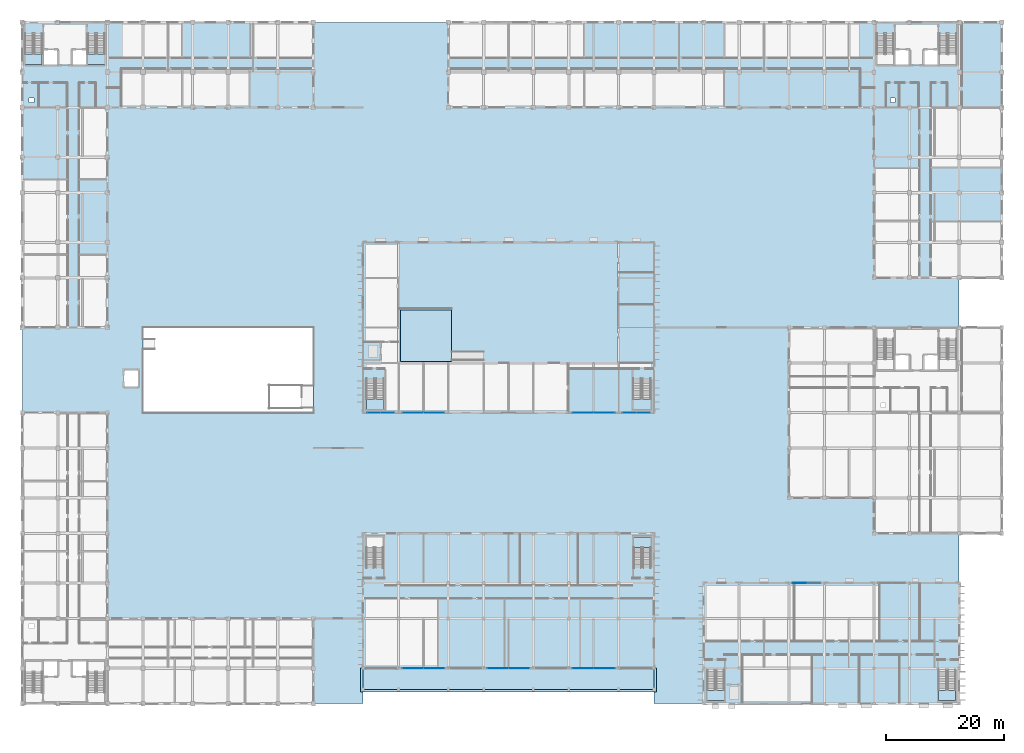
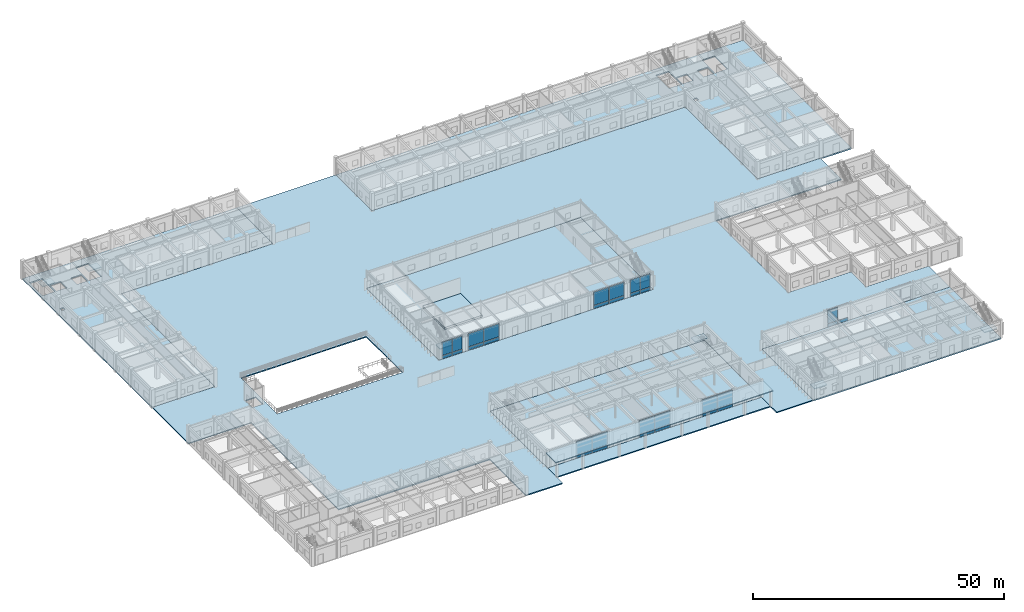
# One storey, part 24 of 67: 31 plates, 16 slabs, 15 elements without a shape of their own.
"""IFC4 building model written with IfcOpenShell, lengths in metres."""

from ifc_helpers import new_model, si_unit, direction, frame, origin, origin_2d, place, context, subcontext, project, spatial, polyline, rectangle, outline, extrude, material, layer, layer_set, type_object, element, aggregate, save


model = new_model("IFC4")

# Units and contexts
model_context = context("Model", 3, precision=1e-05, world=origin(), true_north=direction((0.0, 1.0)))
body_context = subcontext(model_context, "Body", "Model", "MODEL_VIEW")
ifc_project = project(units=[si_unit("LENGTHUNIT", "METRE"), si_unit("AREAUNIT", "SQUARE_METRE"), si_unit("VOLUMEUNIT", "CUBIC_METRE"), si_unit("PLANEANGLEUNIT", "RADIAN"), si_unit("MASSUNIT", "GRAM", prefix="KILO"), si_unit("THERMODYNAMICTEMPERATUREUNIT", "KELVIN")], contexts=[model_context])

# Site, building, storey
site_placement = place(None, origin())
site = spatial("IfcSite", under=ifc_project, at=site_placement, CompositionType="ELEMENT")
building_placement = place(site_placement, origin())
building = spatial("IfcBuilding", under=site, at=building_placement, Name="Thalorik Housing Commons", CompositionType="ELEMENT")
storey_placement = place(building_placement, origin())
storey = spatial("IfcBuildingStorey", under=building, at=storey_placement, Name="L00", CompositionType="ELEMENT", Elevation=0.0)

# Curtain wall, plates
ifc_material_1 = material(Name="Anodised aluminium and solar-control low-E glass", Category="aluminium")
curtain_wall_type = type_object("IfcCurtainWallType", Name="ARC-CW-CIVIC", PredefinedType="USERDEFINED", material=ifc_material_1)
curtain_wall_1_placement = place(storey_placement, origin())
curtain_wall_1 = element("IfcCurtainWall", 1, at=curtain_wall_1_placement, inside=storey, type_object=curtain_wall_type, Name="L00 Curtain Wall CW-HALL-L00-209", ObjectType="CURTAIN WALL", PredefinedType="USERDEFINED")
ifc_material_2 = material(Name="Cobalt blue enamelled aluminium spandrel panel", Category="aluminium")
ifc_layer_1 = layer(ifc_material_2, 0.0458984375, Name="Cobalt blue enamelled aluminium spandrel panel", Category="aluminium")
ifc_layer_set_1 = layer_set([ifc_layer_1], Name="Cobalt blue enamelled aluminium spandrel panel")
plate_type_1 = type_object("IfcPlateType", Name="ARC-CP-BLU-46", PredefinedType="CURTAIN_PANEL", material=ifc_layer_set_1)
plate_1_placement = place(storey_placement, frame((67.824951171875, 57.60009765625, 0.080078125), z_axis=(0.0, 0.0, 1.0), x_axis=(1.0, 0.0, 0.0)))
plate_1 = element("IfcPlate", 2, at=plate_1_placement, type_object=plate_type_1, Name="CW-HALL-L00-209 Spandrel Panel 1", PredefinedType="CURTAIN_PANEL", context=body_context, shape_type="SweptSolid", body=[
    extrude(rectangle(XDim=2.2900390625, YDim=0.0458984375, at=origin_2d()), origin(), (0.0, 0.0, 1.0), 0.760009765625),
])
plate_2_placement = place(storey_placement, frame((70.175048828125, 57.60009765625, 0.080078125), z_axis=(0.0, 0.0, 1.0), x_axis=(1.0, 0.0, 0.0)))
plate_2 = element("IfcPlate", 3, at=plate_2_placement, type_object=plate_type_1, Name="CW-HALL-L00-209 Spandrel Panel 2", PredefinedType="CURTAIN_PANEL", context=body_context, shape_type="SweptSolid", body=[
    extrude(rectangle(XDim=2.2900390625, YDim=0.0458984375, at=origin_2d()), origin(), (0.0, 0.0, 1.0), 0.760009765625),
])

curtain_wall_2_placement = place(storey_placement, origin())
curtain_wall_2 = element("IfcCurtainWall", 4, at=curtain_wall_2_placement, inside=storey, type_object=curtain_wall_type, Name="L00 Curtain Wall CW-HALL-L00-211", ObjectType="CURTAIN WALL", PredefinedType="USERDEFINED")
plate_3_placement = place(storey_placement, frame((103.22509765625, 57.60009765625, 0.080078125), z_axis=(0.0, 0.0, 1.0), x_axis=(1.0, 0.0, 0.0)))
plate_3 = element("IfcPlate", 5, at=plate_3_placement, type_object=plate_type_1, Name="CW-HALL-L00-211 Spandrel Panel 1", PredefinedType="CURTAIN_PANEL", context=body_context, shape_type="SweptSolid", body=[
    extrude(rectangle(XDim=3.489990234375, YDim=0.0458984375, at=origin_2d()), origin(), (0.0, 0.0, 1.0), 0.760009765625),
])
plate_4_placement = place(storey_placement, frame((106.77490234375, 57.60009765625, 0.080078125), z_axis=(0.0, 0.0, 1.0), x_axis=(1.0, 0.0, 0.0)))
plate_4 = element("IfcPlate", 6, at=plate_4_placement, type_object=plate_type_1, Name="CW-HALL-L00-211 Spandrel Panel 2", PredefinedType="CURTAIN_PANEL", context=body_context, shape_type="SweptSolid", body=[
    extrude(rectangle(XDim=3.489990234375, YDim=0.0458984375, at=origin_2d()), origin(), (0.0, 0.0, 1.0), 0.760009765625),
])

curtain_wall_3_placement = place(storey_placement, origin())
curtain_wall_3 = element("IfcCurtainWall", 7, at=curtain_wall_3_placement, inside=storey, type_object=curtain_wall_type, Name="L00 Curtain Wall CW-SHOP-L00-231", ObjectType="CURTAIN WALL", PredefinedType="USERDEFINED")
plate_5_placement = place(storey_placement, frame((74.425048828125, 14.39990234375, 0.080078125), z_axis=(0.0, 0.0, 1.0), x_axis=(1.0, 0.0, 0.0)))
plate_5 = element("IfcPlate", 8, at=plate_5_placement, type_object=plate_type_1, Name="CW-SHOP-L00-231 Spandrel Panel 1", PredefinedType="CURTAIN_PANEL", context=body_context, shape_type="SweptSolid", body=[
    extrude(rectangle(XDim=3.489990234375, YDim=0.0458984375, at=origin_2d()), origin(), (0.0, 0.0, 1.0), 0.760009765625),
])
plate_6_placement = place(storey_placement, frame((77.97509765625, 14.39990234375, 0.080078125), z_axis=(0.0, 0.0, 1.0), x_axis=(1.0, 0.0, 0.0)))
plate_6 = element("IfcPlate", 9, at=plate_6_placement, type_object=plate_type_1, Name="CW-SHOP-L00-231 Spandrel Panel 2", PredefinedType="CURTAIN_PANEL", context=body_context, shape_type="SweptSolid", body=[
    extrude(rectangle(XDim=3.489990234375, YDim=0.0458984375, at=origin_2d()), origin(), (0.0, 0.0, 1.0), 0.760009765625),
])

# Plate
ifc_material_3 = material(Name="Acoustic laminated solar-control glass", Category="glass")
ifc_layer_2 = layer(ifc_material_3, 0.031982421875, Name="Acoustic laminated solar-control glass", Category="glass")
ifc_layer_set_2 = layer_set([ifc_layer_2], Name="Acoustic laminated solar-control glass")
plate_type_2 = type_object("IfcPlateType", Name="ARC-CP-GLZ-32", PredefinedType="CURTAIN_PANEL", material=ifc_layer_set_2)
plate_7_placement = place(storey_placement, frame((67.824951171875, 57.60009765625, 0.919921875), z_axis=(0.0, 0.0, 1.0), x_axis=(1.0, 0.0, 0.0)))
plate_7 = element("IfcPlate", 10, at=plate_7_placement, type_object=plate_type_2, Name="CW-HALL-L00-209 Vision Panel 1", PredefinedType="CURTAIN_PANEL", context=body_context, shape_type="SweptSolid", body=[
    extrude(rectangle(XDim=2.2900390625, YDim=0.031982421875, at=origin_2d()), origin(), (0.0, 0.0, 1.0), 3.199951171875),
])

plate_8_placement = place(storey_placement, frame((70.175048828125, 57.60009765625, 0.919921875), z_axis=(0.0, 0.0, 1.0), x_axis=(1.0, 0.0, 0.0)))
plate_8 = element("IfcPlate", 11, at=plate_8_placement, type_object=plate_type_2, Name="CW-HALL-L00-209 Vision Panel 2", PredefinedType="CURTAIN_PANEL", context=body_context, shape_type="SweptSolid", body=[
    extrude(rectangle(XDim=2.2900390625, YDim=0.031982421875, at=origin_2d()), origin(), (0.0, 0.0, 1.0), 3.199951171875),
])

aggregate(curtain_wall_1, [plate_1, plate_7, plate_2, plate_8])

# Curtain wall, plates
curtain_wall_4_placement = place(storey_placement, origin())
curtain_wall_4 = element("IfcCurtainWall", 12, at=curtain_wall_4_placement, inside=storey, type_object=curtain_wall_type, Name="L00 Curtain Wall CW-HALL-L00-210", ObjectType="CURTAIN WALL", PredefinedType="USERDEFINED")
plate_9_placement = place(storey_placement, frame((74.425048828125, 57.60009765625, 0.919921875), z_axis=(0.0, 0.0, 1.0), x_axis=(1.0, 0.0, 0.0)))
plate_9 = element("IfcPlate", 13, at=plate_9_placement, type_object=plate_type_2, Name="CW-HALL-L00-210 Vision Panel 1", PredefinedType="CURTAIN_PANEL", context=body_context, shape_type="SweptSolid", body=[
    extrude(rectangle(XDim=3.489990234375, YDim=0.031982421875, at=origin_2d()), origin(), (0.0, 0.0, 1.0), 3.199951171875),
])
plate_10_placement = place(storey_placement, frame((77.97509765625, 57.60009765625, 0.919921875), z_axis=(0.0, 0.0, 1.0), x_axis=(1.0, 0.0, 0.0)))
plate_10 = element("IfcPlate", 14, at=plate_10_placement, type_object=plate_type_2, Name="CW-HALL-L00-210 Vision Panel 2", PredefinedType="CURTAIN_PANEL", context=body_context, shape_type="SweptSolid", body=[
    extrude(rectangle(XDim=3.489990234375, YDim=0.031982421875, at=origin_2d()), origin(), (0.0, 0.0, 1.0), 3.199951171875),
])

# Plate
plate_11_placement = place(storey_placement, frame((103.22509765625, 57.60009765625, 0.919921875), z_axis=(0.0, 0.0, 1.0), x_axis=(1.0, 0.0, 0.0)))
plate_11 = element("IfcPlate", 15, at=plate_11_placement, type_object=plate_type_2, Name="CW-HALL-L00-211 Vision Panel 1", PredefinedType="CURTAIN_PANEL", context=body_context, shape_type="SweptSolid", body=[
    extrude(rectangle(XDim=3.489990234375, YDim=0.031982421875, at=origin_2d()), origin(), (0.0, 0.0, 1.0), 3.199951171875),
])

plate_12_placement = place(storey_placement, frame((106.77490234375, 57.60009765625, 0.919921875), z_axis=(0.0, 0.0, 1.0), x_axis=(1.0, 0.0, 0.0)))
plate_12 = element("IfcPlate", 16, at=plate_12_placement, type_object=plate_type_2, Name="CW-HALL-L00-211 Vision Panel 2", PredefinedType="CURTAIN_PANEL", context=body_context, shape_type="SweptSolid", body=[
    extrude(rectangle(XDim=3.489990234375, YDim=0.031982421875, at=origin_2d()), origin(), (0.0, 0.0, 1.0), 3.199951171875),
])

aggregate(curtain_wall_2, [plate_3, plate_11, plate_4, plate_12])

# Curtain wall, plates
curtain_wall_5_placement = place(storey_placement, origin())
curtain_wall_5 = element("IfcCurtainWall", 17, at=curtain_wall_5_placement, inside=storey, type_object=curtain_wall_type, Name="L00 Curtain Wall CW-HALL-L00-212", ObjectType="CURTAIN WALL", PredefinedType="USERDEFINED")
plate_13_placement = place(storey_placement, frame((111.02490234375, 57.60009765625, 0.919921875), z_axis=(0.0, 0.0, 1.0), x_axis=(1.0, 0.0, 0.0)))
plate_13 = element("IfcPlate", 18, at=plate_13_placement, type_object=plate_type_2, Name="CW-HALL-L00-212 Vision Panel 1", PredefinedType="CURTAIN_PANEL", context=body_context, shape_type="SweptSolid", body=[
    extrude(rectangle(XDim=2.2900390625, YDim=0.031982421875, at=origin_2d()), origin(), (0.0, 0.0, 1.0), 3.199951171875),
])
plate_14_placement = place(storey_placement, frame((113.375, 57.60009765625, 0.919921875), z_axis=(0.0, 0.0, 1.0), x_axis=(1.0, 0.0, 0.0)))
plate_14 = element("IfcPlate", 19, at=plate_14_placement, type_object=plate_type_2, Name="CW-HALL-L00-212 Vision Panel 2", PredefinedType="CURTAIN_PANEL", context=body_context, shape_type="SweptSolid", body=[
    extrude(rectangle(XDim=2.2900390625, YDim=0.031982421875, at=origin_2d()), origin(), (0.0, 0.0, 1.0), 3.199951171875),
])

# Curtain wall, plate
curtain_wall_6_placement = place(storey_placement, origin())
curtain_wall_6 = element("IfcCurtainWall", 20, at=curtain_wall_6_placement, inside=storey, type_object=curtain_wall_type, Name="L00 Curtain Wall CW-NURS-L00-228", ObjectType="CURTAIN WALL", PredefinedType="USERDEFINED")
plate_15_placement = place(storey_placement, frame((139.824951171875, 28.800048828125, 0.919921875), z_axis=(0.0, 0.0, 1.0), x_axis=(-1.0, 0.0, 0.0)))
plate_15 = element("IfcPlate", 21, at=plate_15_placement, type_object=plate_type_2, Name="CW-NURS-L00-228 Vision Panel 2", PredefinedType="CURTAIN_PANEL", context=body_context, shape_type="SweptSolid", body=[
    extrude(rectangle(XDim=2.2900390625, YDim=0.031982421875, at=origin_2d()), origin(), (0.0, 0.0, 1.0), 3.199951171875),
])

# Plate
plate_16_placement = place(storey_placement, frame((74.425048828125, 14.39990234375, 0.919921875), z_axis=(0.0, 0.0, 1.0), x_axis=(1.0, 0.0, 0.0)))
plate_16 = element("IfcPlate", 22, at=plate_16_placement, type_object=plate_type_2, Name="CW-SHOP-L00-231 Vision Panel 1", PredefinedType="CURTAIN_PANEL", context=body_context, shape_type="SweptSolid", body=[
    extrude(rectangle(XDim=3.489990234375, YDim=0.031982421875, at=origin_2d()), origin(), (0.0, 0.0, 1.0), 3.199951171875),
])

plate_17_placement = place(storey_placement, frame((77.97509765625, 14.39990234375, 0.919921875), z_axis=(0.0, 0.0, 1.0), x_axis=(1.0, 0.0, 0.0)))
plate_17 = element("IfcPlate", 23, at=plate_17_placement, type_object=plate_type_2, Name="CW-SHOP-L00-231 Vision Panel 2", PredefinedType="CURTAIN_PANEL", context=body_context, shape_type="SweptSolid", body=[
    extrude(rectangle(XDim=3.489990234375, YDim=0.031982421875, at=origin_2d()), origin(), (0.0, 0.0, 1.0), 3.199951171875),
])

aggregate(curtain_wall_3, [plate_5, plate_16, plate_6, plate_17])

# Curtain wall, plates
curtain_wall_7_placement = place(storey_placement, origin())
curtain_wall_7 = element("IfcCurtainWall", 24, at=curtain_wall_7_placement, inside=storey, type_object=curtain_wall_type, Name="L00 Curtain Wall CW-SHOP-L00-232", ObjectType="CURTAIN WALL", PredefinedType="USERDEFINED")
plate_18_placement = place(storey_placement, frame((88.824951171875, 14.39990234375, 0.919921875), z_axis=(0.0, 0.0, 1.0), x_axis=(1.0, 0.0, 0.0)))
plate_18 = element("IfcPlate", 25, at=plate_18_placement, type_object=plate_type_2, Name="CW-SHOP-L00-232 Vision Panel 1", PredefinedType="CURTAIN_PANEL", context=body_context, shape_type="SweptSolid", body=[
    extrude(rectangle(XDim=3.489990234375, YDim=0.031982421875, at=origin_2d()), origin(), (0.0, 0.0, 1.0), 3.199951171875),
])
plate_19_placement = place(storey_placement, frame((92.375, 14.39990234375, 0.919921875), z_axis=(0.0, 0.0, 1.0), x_axis=(1.0, 0.0, 0.0)))
plate_19 = element("IfcPlate", 26, at=plate_19_placement, type_object=plate_type_2, Name="CW-SHOP-L00-232 Vision Panel 2", PredefinedType="CURTAIN_PANEL", context=body_context, shape_type="SweptSolid", body=[
    extrude(rectangle(XDim=3.489990234375, YDim=0.031982421875, at=origin_2d()), origin(), (0.0, 0.0, 1.0), 3.199951171875),
])

curtain_wall_8_placement = place(storey_placement, origin())
curtain_wall_8 = element("IfcCurtainWall", 27, at=curtain_wall_8_placement, inside=storey, type_object=curtain_wall_type, Name="L00 Curtain Wall CW-SHOP-L00-233", ObjectType="CURTAIN WALL", PredefinedType="USERDEFINED")
plate_20_placement = place(storey_placement, frame((103.22509765625, 14.39990234375, 0.919921875), z_axis=(0.0, 0.0, 1.0), x_axis=(1.0, 0.0, 0.0)))
plate_20 = element("IfcPlate", 28, at=plate_20_placement, type_object=plate_type_2, Name="CW-SHOP-L00-233 Vision Panel 1", PredefinedType="CURTAIN_PANEL", context=body_context, shape_type="SweptSolid", body=[
    extrude(rectangle(XDim=3.489990234375, YDim=0.031982421875, at=origin_2d()), origin(), (0.0, 0.0, 1.0), 3.199951171875),
])
plate_21_placement = place(storey_placement, frame((106.77490234375, 14.39990234375, 0.919921875), z_axis=(0.0, 0.0, 1.0), x_axis=(1.0, 0.0, 0.0)))
plate_21 = element("IfcPlate", 29, at=plate_21_placement, type_object=plate_type_2, Name="CW-SHOP-L00-233 Vision Panel 2", PredefinedType="CURTAIN_PANEL", context=body_context, shape_type="SweptSolid", body=[
    extrude(rectangle(XDim=3.489990234375, YDim=0.031982421875, at=origin_2d()), origin(), (0.0, 0.0, 1.0), 3.199951171875),
])

# Plate
ifc_material_4 = material(Name="Oxide red enamelled aluminium spandrel panel", Category="aluminium")
ifc_layer_3 = layer(ifc_material_4, 0.0419921875, Name="Oxide red enamelled aluminium spandrel panel", Category="aluminium")
ifc_layer_set_3 = layer_set([ifc_layer_3], Name="Oxide red enamelled aluminium spandrel panel")
plate_type_3 = type_object("IfcPlateType", Name="ARC-CP-RED-42", PredefinedType="CURTAIN_PANEL", material=ifc_layer_set_3)
plate_22_placement = place(storey_placement, frame((88.824951171875, 14.39990234375, 0.080078125), z_axis=(0.0, 0.0, 1.0), x_axis=(1.0, 0.0, 0.0)))
plate_22 = element("IfcPlate", 30, at=plate_22_placement, type_object=plate_type_3, Name="CW-SHOP-L00-232 Spandrel Panel 1", PredefinedType="CURTAIN_PANEL", context=body_context, shape_type="SweptSolid", body=[
    extrude(rectangle(XDim=3.489990234375, YDim=0.0419921875, at=origin_2d()), origin(), (0.0, 0.0, 1.0), 0.760009765625),
])

plate_23_placement = place(storey_placement, frame((92.375, 14.39990234375, 0.080078125), z_axis=(0.0, 0.0, 1.0), x_axis=(1.0, 0.0, 0.0)))
plate_23 = element("IfcPlate", 31, at=plate_23_placement, type_object=plate_type_3, Name="CW-SHOP-L00-232 Spandrel Panel 2", PredefinedType="CURTAIN_PANEL", context=body_context, shape_type="SweptSolid", body=[
    extrude(rectangle(XDim=3.489990234375, YDim=0.0419921875, at=origin_2d()), origin(), (0.0, 0.0, 1.0), 0.760009765625),
])

aggregate(curtain_wall_7, [plate_22, plate_18, plate_23, plate_19])

ifc_material_5 = material(Name="Mineral ochre yellow aluminium spandrel panel", Category="aluminium")
ifc_layer_4 = layer(ifc_material_5, 0.050048828125, Name="Mineral ochre yellow aluminium spandrel panel", Category="aluminium")
ifc_layer_set_4 = layer_set([ifc_layer_4], Name="Mineral ochre yellow aluminium spandrel panel")
plate_type_4 = type_object("IfcPlateType", Name="ARC-CP-YEL-50", PredefinedType="CURTAIN_PANEL", material=ifc_layer_set_4)
plate_24_placement = place(storey_placement, frame((74.425048828125, 57.60009765625, 0.080078125), z_axis=(0.0, 0.0, 1.0), x_axis=(1.0, 0.0, 0.0)))
plate_24 = element("IfcPlate", 32, at=plate_24_placement, type_object=plate_type_4, Name="CW-HALL-L00-210 Spandrel Panel 1", PredefinedType="CURTAIN_PANEL", context=body_context, shape_type="SweptSolid", body=[
    extrude(rectangle(XDim=3.489990234375, YDim=0.050048828125, at=origin_2d()), origin(), (0.0, 0.0, 1.0), 0.760009765625),
])

plate_25_placement = place(storey_placement, frame((77.97509765625, 57.60009765625, 0.080078125), z_axis=(0.0, 0.0, 1.0), x_axis=(1.0, 0.0, 0.0)))
plate_25 = element("IfcPlate", 33, at=plate_25_placement, type_object=plate_type_4, Name="CW-HALL-L00-210 Spandrel Panel 2", PredefinedType="CURTAIN_PANEL", context=body_context, shape_type="SweptSolid", body=[
    extrude(rectangle(XDim=3.489990234375, YDim=0.050048828125, at=origin_2d()), origin(), (0.0, 0.0, 1.0), 0.760009765625),
])

aggregate(curtain_wall_4, [plate_24, plate_9, plate_25, plate_10])

plate_26_placement = place(storey_placement, frame((111.02490234375, 57.60009765625, 0.080078125), z_axis=(0.0, 0.0, 1.0), x_axis=(1.0, 0.0, 0.0)))
plate_26 = element("IfcPlate", 34, at=plate_26_placement, type_object=plate_type_4, Name="CW-HALL-L00-212 Spandrel Panel 1", PredefinedType="CURTAIN_PANEL", context=body_context, shape_type="SweptSolid", body=[
    extrude(rectangle(XDim=2.2900390625, YDim=0.050048828125, at=origin_2d()), origin(), (0.0, 0.0, 1.0), 0.760009765625),
])

plate_27_placement = place(storey_placement, frame((113.375, 57.60009765625, 0.080078125), z_axis=(0.0, 0.0, 1.0), x_axis=(1.0, 0.0, 0.0)))
plate_27 = element("IfcPlate", 35, at=plate_27_placement, type_object=plate_type_4, Name="CW-HALL-L00-212 Spandrel Panel 2", PredefinedType="CURTAIN_PANEL", context=body_context, shape_type="SweptSolid", body=[
    extrude(rectangle(XDim=2.2900390625, YDim=0.050048828125, at=origin_2d()), origin(), (0.0, 0.0, 1.0), 0.760009765625),
])

aggregate(curtain_wall_5, [plate_26, plate_13, plate_27, plate_14])

plate_28_placement = place(storey_placement, frame((142.175048828125, 28.800048828125, 0.080078125), z_axis=(0.0, 0.0, 1.0), x_axis=(-1.0, 0.0, 0.0)))
plate_28 = element("IfcPlate", 36, at=plate_28_placement, type_object=plate_type_4, Name="CW-NURS-L00-228 Spandrel Panel 1", PredefinedType="CURTAIN_PANEL", context=body_context, shape_type="SweptSolid", body=[
    extrude(rectangle(XDim=2.2900390625, YDim=0.050048828125, at=origin_2d()), origin(), (0.0, 0.0, 1.0), 0.760009765625),
])

plate_29_placement = place(storey_placement, frame((139.824951171875, 28.800048828125, 0.080078125), z_axis=(0.0, 0.0, 1.0), x_axis=(-1.0, 0.0, 0.0)))
plate_29 = element("IfcPlate", 37, at=plate_29_placement, type_object=plate_type_4, Name="CW-NURS-L00-228 Spandrel Panel 2", PredefinedType="CURTAIN_PANEL", context=body_context, shape_type="SweptSolid", body=[
    extrude(rectangle(XDim=2.2900390625, YDim=0.050048828125, at=origin_2d()), origin(), (0.0, 0.0, 1.0), 0.760009765625),
])

aggregate(curtain_wall_6, [plate_28, plate_29, plate_15])

plate_30_placement = place(storey_placement, frame((103.22509765625, 14.39990234375, 0.080078125), z_axis=(0.0, 0.0, 1.0), x_axis=(1.0, 0.0, 0.0)))
plate_30 = element("IfcPlate", 38, at=plate_30_placement, type_object=plate_type_4, Name="CW-SHOP-L00-233 Spandrel Panel 1", PredefinedType="CURTAIN_PANEL", context=body_context, shape_type="SweptSolid", body=[
    extrude(rectangle(XDim=3.489990234375, YDim=0.050048828125, at=origin_2d()), origin(), (0.0, 0.0, 1.0), 0.760009765625),
])

plate_31_placement = place(storey_placement, frame((106.77490234375, 14.39990234375, 0.080078125), z_axis=(0.0, 0.0, 1.0), x_axis=(1.0, 0.0, 0.0)))
plate_31 = element("IfcPlate", 39, at=plate_31_placement, type_object=plate_type_4, Name="CW-SHOP-L00-233 Spandrel Panel 2", PredefinedType="CURTAIN_PANEL", context=body_context, shape_type="SweptSolid", body=[
    extrude(rectangle(XDim=3.489990234375, YDim=0.050048828125, at=origin_2d()), origin(), (0.0, 0.0, 1.0), 0.760009765625),
])

aggregate(curtain_wall_8, [plate_30, plate_20, plate_31, plate_21])

# Stair, slab
ifc_material_6 = material(Name="Precast concrete C40/50", Category="concrete")
stair_type_1 = type_object("IfcStairType", Name="ARC-STR-1350-R26", PredefinedType="HALF_TURN_STAIR", material=ifc_material_6)
stair_1_placement = place(storey_placement, origin())
stair_1 = element("IfcStair", 40, at=stair_1_placement, inside=storey, type_object=stair_type_1, Name="L00 Block A Smoke-Proof Stair 1", PredefinedType="HALF_TURN_STAIR")
ifc_layer_5 = layer(ifc_material_6, 0.199951171875, Name="Precast concrete C40/50", Category="concrete")
ifc_layer_set_5 = layer_set([ifc_layer_5], Name="Precast concrete C40/50")
slab_type_1 = type_object("IfcSlabType", Name="ARC-SLB-STLND-200", PredefinedType="LANDING", material=ifc_layer_set_5)
slab_1_placement = place(storey_placement, frame((0.0, 0.0, 2.050048828125)))
slab_1 = element("IfcSlab", 41, at=slab_1_placement, type_object=slab_type_1, Name="ST-A1 landing 1", PredefinedType="LANDING", context=body_context, shape_type="SweptSolid", body=[
    extrude(outline(polyline([(8.85009765625, 118.219970703125), (8.85009765625, 116.449951171875), (11.75, 116.449951171875), (11.75, 118.219970703125), (8.85009765625, 118.219970703125)])), origin(), (0.0, 0.0, 1.0), 0.199951171875),
])
aggregate(stair_1, [slab_1])

stair_2_placement = place(storey_placement, origin())
stair_2 = element("IfcStair", 42, at=stair_2_placement, inside=storey, type_object=stair_type_1, Name="L00 Block A Smoke-Proof Stair 2", PredefinedType="HALF_TURN_STAIR")
slab_2_placement = place(storey_placement, frame((0.0, 0.0, 2.050048828125)))
slab_2 = element("IfcSlab", 43, at=slab_2_placement, type_object=slab_type_1, Name="ST-A2 landing 1", PredefinedType="LANDING", context=body_context, shape_type="SweptSolid", body=[
    extrude(outline(polyline([(19.449951171875, 118.219970703125), (19.449951171875, 116.449951171875), (22.35009765625, 116.449951171875), (22.35009765625, 118.219970703125), (19.449951171875, 118.219970703125)])), origin(), (0.0, 0.0, 1.0), 0.199951171875),
])
aggregate(stair_2, [slab_2])

stair_type_2 = type_object("IfcStairType", Name="ARC-STR-1400-R26", PredefinedType="HALF_TURN_STAIR", material=ifc_material_6)
stair_3_placement = place(storey_placement, origin())
stair_3 = element("IfcStair", 44, at=stair_3_placement, inside=storey, type_object=stair_type_2, Name="L00 Community Hall West Stair", PredefinedType="HALF_TURN_STAIR")
slab_3_placement = place(storey_placement, frame((0.0, 0.0, 2.050048828125)))
slab_3 = element("IfcSlab", 45, at=slab_3_placement, type_object=slab_type_1, Name="ST-H1 landing 1", PredefinedType="LANDING", context=body_context, shape_type="SweptSolid", body=[
    extrude(outline(polyline([(66.550048828125, 59.919921875), (66.550048828125, 58.14990234375), (69.550048828125, 58.14990234375), (69.550048828125, 59.919921875), (66.550048828125, 59.919921875)])), origin(), (0.0, 0.0, 1.0), 0.199951171875),
])
aggregate(stair_3, [slab_3])

stair_4_placement = place(storey_placement, origin())
stair_4 = element("IfcStair", 46, at=stair_4_placement, inside=storey, type_object=stair_type_2, Name="L00 Community Hall East Stair", PredefinedType="HALF_TURN_STAIR")
slab_4_placement = place(storey_placement, frame((0.0, 0.0, 2.050048828125)))
slab_4 = element("IfcSlab", 47, at=slab_4_placement, type_object=slab_type_1, Name="ST-H2 landing 1", PredefinedType="LANDING", context=body_context, shape_type="SweptSolid", body=[
    extrude(outline(polyline([(111.64990234375, 59.919921875), (111.64990234375, 58.14990234375), (114.64990234375, 58.14990234375), (114.64990234375, 59.919921875), (111.64990234375, 59.919921875)])), origin(), (0.0, 0.0, 1.0), 0.199951171875),
])
aggregate(stair_4, [slab_4])

stair_5_placement = place(storey_placement, origin())
stair_5 = element("IfcStair", 48, at=stair_5_placement, inside=storey, type_object=stair_type_1, Name="L00 Nursery West Stair", PredefinedType="HALF_TURN_STAIR")
slab_5_placement = place(storey_placement, frame((0.0, 0.0, 2.050048828125)))
slab_5 = element("IfcSlab", 49, at=slab_5_placement, type_object=slab_type_1, Name="ST-N1 landing 1", PredefinedType="LANDING", context=body_context, shape_type="SweptSolid", body=[
    extrude(outline(polyline([(124.199951171875, 10.669921875), (124.199951171875, 8.89990234375), (127.10009765625, 8.89990234375), (127.10009765625, 10.669921875), (124.199951171875, 10.669921875)])), origin(), (0.0, 0.0, 1.0), 0.199951171875),
])
aggregate(stair_5, [slab_5])

stair_6_placement = place(storey_placement, origin())
stair_6 = element("IfcStair", 50, at=stair_6_placement, inside=storey, type_object=stair_type_1, Name="L00 Nursery East Stair", PredefinedType="HALF_TURN_STAIR")
slab_6_placement = place(storey_placement, frame((0.0, 0.0, 2.050048828125)))
slab_6 = element("IfcSlab", 51, at=slab_6_placement, type_object=slab_type_1, Name="ST-N2 landing 1", PredefinedType="LANDING", context=body_context, shape_type="SweptSolid", body=[
    extrude(outline(polyline([(163.300048828125, 10.669921875), (163.300048828125, 8.89990234375), (166.199951171875, 8.89990234375), (166.199951171875, 10.669921875), (163.300048828125, 10.669921875)])), origin(), (0.0, 0.0, 1.0), 0.199951171875),
])
aggregate(stair_6, [slab_6])

stair_7_placement = place(storey_placement, origin())
stair_7 = element("IfcStair", 52, at=stair_7_placement, inside=storey, type_object=stair_type_1, Name="L00 Street Shops East Stair", PredefinedType="HALF_TURN_STAIR")
slab_7_placement = place(storey_placement, frame((0.0, 0.0, 2.050048828125)))
slab_7 = element("IfcSlab", 53, at=slab_7_placement, type_object=slab_type_1, Name="ST-S2 landing 1", PredefinedType="LANDING", context=body_context, shape_type="SweptSolid", body=[
    extrude(outline(polyline([(114.64990234375, 34.830078125), (114.64990234375, 36.60009765625), (111.75, 36.60009765625), (111.75, 34.830078125), (114.64990234375, 34.830078125)])), origin(), (0.0, 0.0, 1.0), 0.199951171875),
])
aggregate(stair_7, [slab_7])

# Slabs
ifc_material_7 = material(Name="Concrete C40/50", Category="concrete")
ifc_layer_6 = layer(ifc_material_7, 0.25, Name="Concrete C40/50", Category="concrete")
ifc_layer_set_6 = layer_set([ifc_layer_6], Name="Concrete C40/50")
slab_type_2 = type_object("IfcSlabType", Name="STR-SLB-PLAZA-250", PredefinedType="FLOOR", material=ifc_layer_set_6)
slab_8_placement = place(storey_placement, frame((0.0, 0.0, -0.25)))
element("IfcSlab", 54, at=slab_8_placement, inside=storey, type_object=slab_type_2, Name="L00 South Street Public Colonnade Deck", PredefinedType="FLOOR", context=body_context, shape_type="SweptSolid", body=[
    extrude(outline(polyline([(66.0, 10.800048828125), (115.199951171875, 10.800048828125), (115.199951171875, 14.39990234375), (66.0, 14.39990234375), (66.0, 10.800048828125)])), origin(), (0.0, 0.0, 1.0), 0.25),
])
slab_9_placement = place(storey_placement, frame((0.0, 0.0, -0.25)))
element("IfcSlab", 55, at=slab_9_placement, inside=storey, type_object=slab_type_2, Name="L00 Metro Transit Plaza and Central Courtyard Slab", PredefinedType="FLOOR", context=body_context, shape_type="SweptSolid", body=[
    extrude(outline(polyline([(123.60009765625, 28.800048828125), (166.800048828125, 28.800048828125), (166.800048828125, 37.199951171875), (152.39990234375, 37.199951171875), (152.39990234375, 43.199951171875), (138.0, 43.199951171875), (138.0, 72.0), (152.39990234375, 72.0), (166.800048828125, 72.0), (166.800048828125, 80.39990234375), (152.39990234375, 80.39990234375), (152.39990234375, 109.199951171875), (80.39990234375, 109.199951171875), (80.39990234375, 123.60009765625), (57.60009765625, 123.60009765625), (57.60009765625, 109.199951171875), (22.800048828125, 109.199951171875), (22.800048828125, 72.0), (8.39990234375, 72.0), (8.39990234375, 57.60009765625), (22.800048828125, 57.60009765625), (22.800048828125, 22.800048828125), (57.60009765625, 22.800048828125), (57.60009765625, 8.39990234375), (66.0, 8.39990234375), (66.0, 10.800048828125), (66.0, 14.39990234375), (66.0, 37.199951171875), (115.199951171875, 37.199951171875), (115.199951171875, 14.39990234375), (115.199951171875, 10.800048828125), (115.199951171875, 8.39990234375), (123.60009765625, 8.39990234375), (123.60009765625, 28.800048828125)]), holes=[polyline([(28.800048828125, 57.60009765625), (28.800048828125, 72.0), (57.60009765625, 72.0), (57.60009765625, 57.60009765625), (28.800048828125, 57.60009765625)]), polyline([(66.0, 57.60009765625), (66.0, 86.39990234375), (115.199951171875, 86.39990234375), (115.199951171875, 57.60009765625), (66.0, 57.60009765625)]), polyline([(25.60009765625, 62.0), (25.60009765625, 64.800048828125), (28.0, 64.800048828125), (28.0, 62.0), (25.60009765625, 62.0)])]), origin(), (0.0, 0.0, 1.0), 0.25),
])
ifc_material_8 = material(Name="Precast concrete C45/55", Category="concrete")
ifc_layer_7 = layer(ifc_material_8, 0.300048828125, Name="Precast concrete C45/55", Category="concrete")
ifc_layer_set_7 = layer_set([ifc_layer_7], Name="Precast concrete C45/55")
slab_type_3 = type_object("IfcSlabType", Name="STR-SLB-POD-300", PredefinedType="FLOOR", material=ifc_layer_set_7)
slab_10_placement = place(storey_placement, frame((0.0, 0.0, -0.300048828125)))
element("IfcSlab", 56, at=slab_10_placement, inside=storey, type_object=slab_type_3, Name="L00 Residential Block A Floor Slab", PredefinedType="FLOOR", context=body_context, shape_type="SweptSolid", body=[
    extrude(outline(polyline([(8.39990234375, 123.60009765625), (8.39990234375, 109.199951171875), (8.39990234375, 72.0), (22.800048828125, 72.0), (22.800048828125, 109.199951171875), (57.60009765625, 109.199951171875), (57.60009765625, 123.60009765625), (8.39990234375, 123.60009765625)]), holes=[polyline([(8.85009765625, 121.64990234375), (11.75, 121.64990234375), (11.75, 116.449951171875), (8.85009765625, 116.449951171875), (8.85009765625, 121.64990234375)]), polyline([(22.35009765625, 121.64990234375), (22.35009765625, 116.449951171875), (19.449951171875, 116.449951171875), (19.449951171875, 121.64990234375), (22.35009765625, 121.64990234375)]), polyline([(14.39990234375, 119.0), (14.39990234375, 116.449951171875), (12.0, 116.449951171875), (12.0, 119.0), (14.39990234375, 119.0)]), polyline([(19.199951171875, 116.449951171875), (16.800048828125, 116.449951171875), (16.800048828125, 119.0), (19.199951171875, 119.0), (19.199951171875, 116.449951171875)]), polyline([(9.550048828125, 110.050048828125), (9.550048828125, 110.85009765625), (10.35009765625, 110.85009765625), (10.35009765625, 110.050048828125), (9.550048828125, 110.050048828125)])]), origin(), (0.0, 0.0, 1.0), 0.300048828125),
])
slab_11_placement = place(storey_placement, frame((0.0, 0.0, -0.300048828125)))
element("IfcSlab", 57, at=slab_11_placement, inside=storey, type_object=slab_type_3, Name="L00 Residential Block B Floor Slab", PredefinedType="FLOOR", context=body_context, shape_type="SweptSolid", body=[
    extrude(outline(polyline([(80.39990234375, 109.199951171875), (152.39990234375, 109.199951171875), (152.39990234375, 80.39990234375), (174.0, 80.39990234375), (174.0, 109.199951171875), (174.0, 123.60009765625), (80.39990234375, 123.60009765625), (80.39990234375, 109.199951171875)]), holes=[polyline([(152.85009765625, 121.64990234375), (155.75, 121.64990234375), (155.75, 116.449951171875), (152.85009765625, 116.449951171875), (152.85009765625, 121.64990234375)]), polyline([(166.35009765625, 121.64990234375), (166.35009765625, 116.449951171875), (163.449951171875, 116.449951171875), (163.449951171875, 121.64990234375), (166.35009765625, 121.64990234375)]), polyline([(158.39990234375, 119.0), (158.39990234375, 116.449951171875), (156.0, 116.449951171875), (156.0, 119.0), (158.39990234375, 119.0)]), polyline([(163.199951171875, 116.449951171875), (160.800048828125, 116.449951171875), (160.800048828125, 119.0), (163.199951171875, 119.0), (163.199951171875, 116.449951171875)]), polyline([(155.14990234375, 110.050048828125), (155.14990234375, 110.85009765625), (155.949951171875, 110.85009765625), (155.949951171875, 110.050048828125), (155.14990234375, 110.050048828125)])]), origin(), (0.0, 0.0, 1.0), 0.300048828125),
])
slab_12_placement = place(storey_placement, frame((0.0, 0.0, -0.300048828125)))
element("IfcSlab", 58, at=slab_12_placement, inside=storey, type_object=slab_type_3, Name="L00 Community Hall Floor Slab", PredefinedType="FLOOR", context=body_context, shape_type="SweptSolid", body=[
    extrude(outline(polyline([(115.199951171875, 57.60009765625), (115.199951171875, 86.39990234375), (66.0, 86.39990234375), (66.0, 57.60009765625), (115.199951171875, 57.60009765625)])), origin(), (0.0, 0.0, 1.0), 0.300048828125),
])
slab_13_placement = place(storey_placement, frame((0.0, 0.0, -0.300048828125)))
element("IfcSlab", 59, at=slab_13_placement, inside=storey, type_object=slab_type_3, Name="L00 Early Childhood Nursery Floor Slab", PredefinedType="FLOOR", context=body_context, shape_type="SweptSolid", body=[
    extrude(outline(polyline([(166.800048828125, 8.39990234375), (166.800048828125, 28.800048828125), (123.60009765625, 28.800048828125), (123.60009765625, 8.39990234375), (166.800048828125, 8.39990234375)])), origin(), (0.0, 0.0, 1.0), 0.300048828125),
])
slab_14_placement = place(storey_placement, frame((0.0, 0.0, -0.300048828125)))
element("IfcSlab", 60, at=slab_14_placement, inside=storey, type_object=slab_type_3, Name="L00 Street Shops Floor Slab", PredefinedType="FLOOR", context=body_context, shape_type="SweptSolid", body=[
    extrude(outline(polyline([(115.199951171875, 14.39990234375), (115.199951171875, 37.199951171875), (66.0, 37.199951171875), (66.0, 14.39990234375), (115.199951171875, 14.39990234375)])), origin(), (0.0, 0.0, 1.0), 0.300048828125),
])
ifc_layer_8 = layer(ifc_material_6, 0.219970703125, Name="Precast concrete C40/50", Category="concrete")
ifc_layer_set_8 = layer_set([ifc_layer_8], Name="Precast concrete C40/50")
slab_type_4 = type_object("IfcSlabType", Name="STR-SLB-ROOF-220", PredefinedType="ROOF", material=ifc_layer_set_8)
slab_15_placement = place(storey_placement, frame((0.0, 0.0, 3.679931640625)))
element("IfcSlab", 61, at=slab_15_placement, inside=storey, type_object=slab_type_4, Name="L00 Street Colonnade Canopy Slab", PredefinedType="ROOF", context=body_context, shape_type="SweptSolid", body=[
    extrude(outline(polyline([(65.60009765625, 10.39990234375), (115.60009765625, 10.39990234375), (115.60009765625, 14.39990234375), (65.60009765625, 14.39990234375), (65.60009765625, 10.39990234375)])), origin(), (0.0, 0.0, 1.0), 0.219970703125),
])
ifc_layer_9 = layer(ifc_material_6, 0.449951171875, Name="Precast concrete C40/50", Category="concrete")
ifc_layer_set_9 = layer_set([ifc_layer_9], Name="Precast concrete C40/50")
slab_type_5 = type_object("IfcSlabType", Name="STR-SLB-STAGE-450", PredefinedType="FLOOR", material=ifc_layer_set_9)
slab_16_placement = place(storey_placement, origin())
element("IfcSlab", 62, at=slab_16_placement, inside=storey, type_object=slab_type_5, Name="L00 Community Hall Raised Stage Plinth", PredefinedType="FLOOR", context=body_context, shape_type="SweptSolid", body=[
    extrude(outline(polyline([(72.300048828125, 66.300048828125), (81.0, 66.300048828125), (81.0, 75.0), (72.300048828125, 75.0), (72.300048828125, 66.300048828125)])), origin(), (0.0, 0.0, 1.0), 0.449951171875),
])

save(model, "model.ifc")
